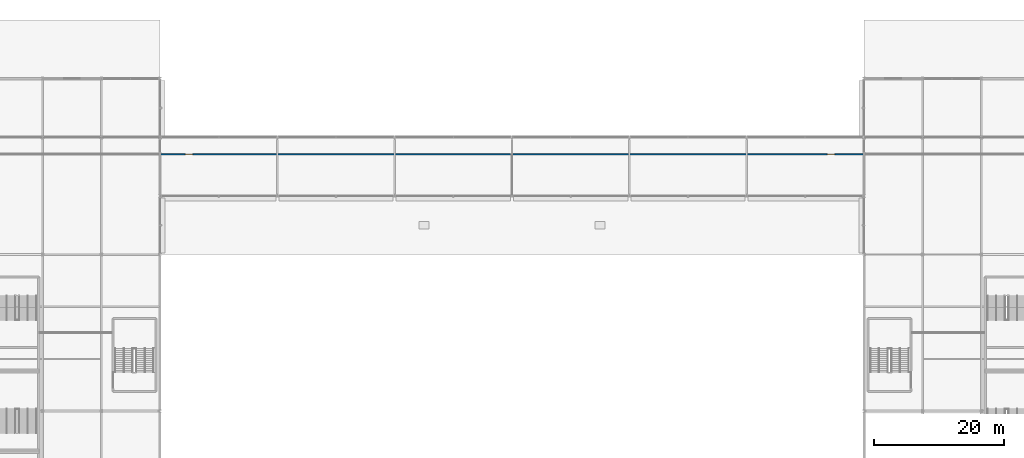
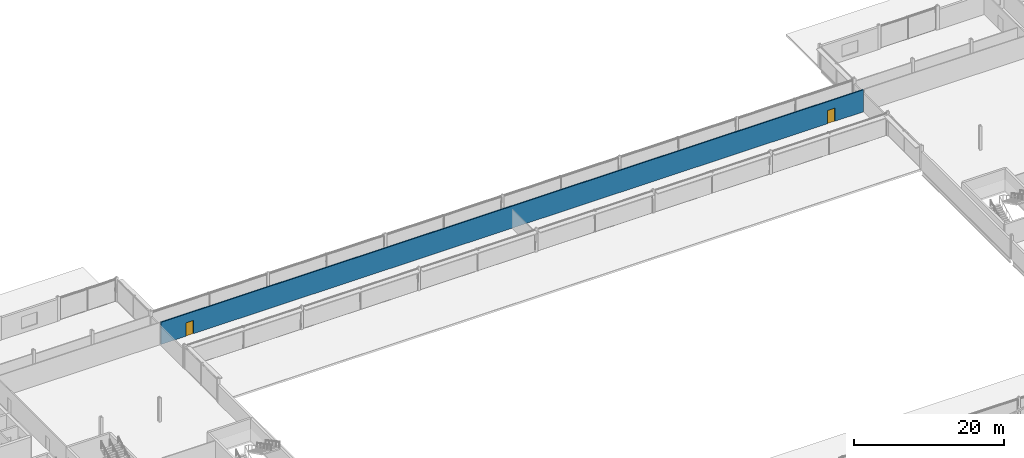
# One storey, part 67 of 105: 2 doors, 1 wall, 2 openings.
"""IFC4 building model written with IfcOpenShell, lengths in metres."""

from ifc_helpers import new_model, si_unit, direction, frame, frame_2d, origin, place, context, subcontext, project, spatial, rectangle, extrude, material, layer, layer_set, type_object, element, fill, save


model = new_model("IFC4")

# Units and contexts
model_context = context("Model", 3, precision=1e-05, world=origin(), true_north=direction((0.0, 1.0)))
body_context = subcontext(model_context, "Body", "Model", "MODEL_VIEW")
ifc_project = project(units=[si_unit("LENGTHUNIT", "METRE"), si_unit("AREAUNIT", "SQUARE_METRE"), si_unit("VOLUMEUNIT", "CUBIC_METRE"), si_unit("PLANEANGLEUNIT", "RADIAN"), si_unit("MASSUNIT", "GRAM", prefix="KILO")], contexts=[model_context])

# Site, building, storey
site_placement = place(None, origin())
site = spatial("IfcSite", under=ifc_project, at=site_placement, CompositionType="ELEMENT")
building_placement = place(site_placement, origin())
building = spatial("IfcBuilding", under=site, at=building_placement, Name="Kisiwana Market Hall", CompositionType="ELEMENT")
storey_placement = place(building_placement, frame((0.0, 0.0, 21.60009765625)))
storey = spatial("IfcBuildingStorey", under=building, at=storey_placement, Name="L04", CompositionType="ELEMENT", Elevation=21.60009765625)

# Wall, openings, doors
ifc_material_1 = material(Name="Masonry blockwork", Category="masonry")
ifc_layer = layer(ifc_material_1, 0.169921875, Name="Protected corridor partition")
ifc_layer_set = layer_set([ifc_layer], Name="WL-CORR-170")
wall_type = type_object("IfcWallType", Name="WL-CORR-170", PredefinedType="PARTITIONING", material=ifc_layer_set)
wall_placement = place(storey_placement, frame((45.0849609375, 99.39990234375, 0.0), z_axis=(0.0, 0.0, 1.0), x_axis=(1.0, 0.0, 0.0)))
wall = element("IfcWall", 1, at=wall_placement, inside=storey, type_object=wall_type, Name="Interior partition W-1701", PredefinedType="PARTITIONING", context=body_context, shape_type="SweptSolid", body=[
    extrude(rectangle(XDim=107.830078125, YDim=0.169921875, at=frame_2d((53.9150390625, 0.0))), origin(), (0.0, 0.0, 1.0), 3.5849609375),
])
opening_1_placement = place(wall_placement, frame((3.800048828125, 0.0, 0.0)))
opening_1 = element("IfcOpeningElement", 2, at=opening_1_placement, cuts=wall, Name="Opening DR-L04-067", PredefinedType="OPENING", context=body_context, shape_type="SweptSolid", body=[
    extrude(rectangle(XDim=1.14990234375, YDim=2.14990234375, at=frame_2d((0.574951171875, 1.074951171875))), frame((0.0, 0.096923828125, 0.0), z_axis=(0.0, -1.0, 0.0), x_axis=(1.0, 0.0, 0.0)), (0.0, 0.0, 1.0), 0.19384765625),
])
opening_2_placement = place(wall_placement, frame((102.300048828125, 0.0, 0.0)))
opening_2 = element("IfcOpeningElement", 3, at=opening_2_placement, cuts=wall, Name="Opening DR-L04-068", PredefinedType="OPENING", context=body_context, shape_type="SweptSolid", body=[
    extrude(rectangle(XDim=1.14990234375, YDim=2.14990234375, at=frame_2d((0.574951171875, 1.074951171875))), frame((0.0, 0.096923828125, 0.0), z_axis=(0.0, -1.0, 0.0), x_axis=(1.0, 0.0, 0.0)), (0.0, 0.0, 1.0), 0.19384765625),
])
ifc_material_2 = material(Name="Aluminium alloy 6063-T6", Category="aluminium")
door_type = type_object("IfcDoorType", Name="DR-MEET-1150", OperationType="NOTDEFINED", PredefinedType="DOOR", material=ifc_material_2)
door_1_placement = place(opening_1_placement, frame((1.14990234375, 0.0, 0.0), z_axis=(0.0, 0.0, 1.0), x_axis=(-1.0, 0.0, 0.0)))
door_1 = element("IfcDoor", 4, at=door_1_placement, inside=storey, type_object=door_type, Name="L04 Skybridge N1 Door", OperationType="SINGLE_SWING_RIGHT", OverallHeight=2.14990234375, OverallWidth=1.14990234375, PredefinedType="DOOR", context=body_context, shape_type="SweptSolid", body=[
    extrude(rectangle(XDim=1.14990234375, YDim=2.14990234375, at=frame_2d((0.574951171875, 1.074951171875))), frame((0.0, 0.02490234375, 0.0), z_axis=(0.0, -1.0, 0.0), x_axis=(1.0, 0.0, 0.0)), (0.0, 0.0, 1.0), 0.050048828125),
])
fill(opening_1, door_1)
door_2_placement = place(opening_2_placement, frame((1.14990234375, 0.0, 0.0), z_axis=(0.0, 0.0, 1.0), x_axis=(-1.0, 0.0, 0.0)))
door_2 = element("IfcDoor", 5, at=door_2_placement, inside=storey, type_object=door_type, Name="L04 Skybridge N2 Door", OperationType="SINGLE_SWING_LEFT", OverallHeight=2.14990234375, OverallWidth=1.14990234375, PredefinedType="DOOR", context=body_context, shape_type="SweptSolid", body=[
    extrude(rectangle(XDim=1.14990234375, YDim=2.14990234375, at=frame_2d((0.574951171875, 1.074951171875))), frame((0.0, 0.02490234375, 0.0), z_axis=(0.0, -1.0, 0.0), x_axis=(1.0, 0.0, 0.0)), (0.0, 0.0, 1.0), 0.050048828125),
])
fill(opening_2, door_2)

save(model, "model.ifc")
